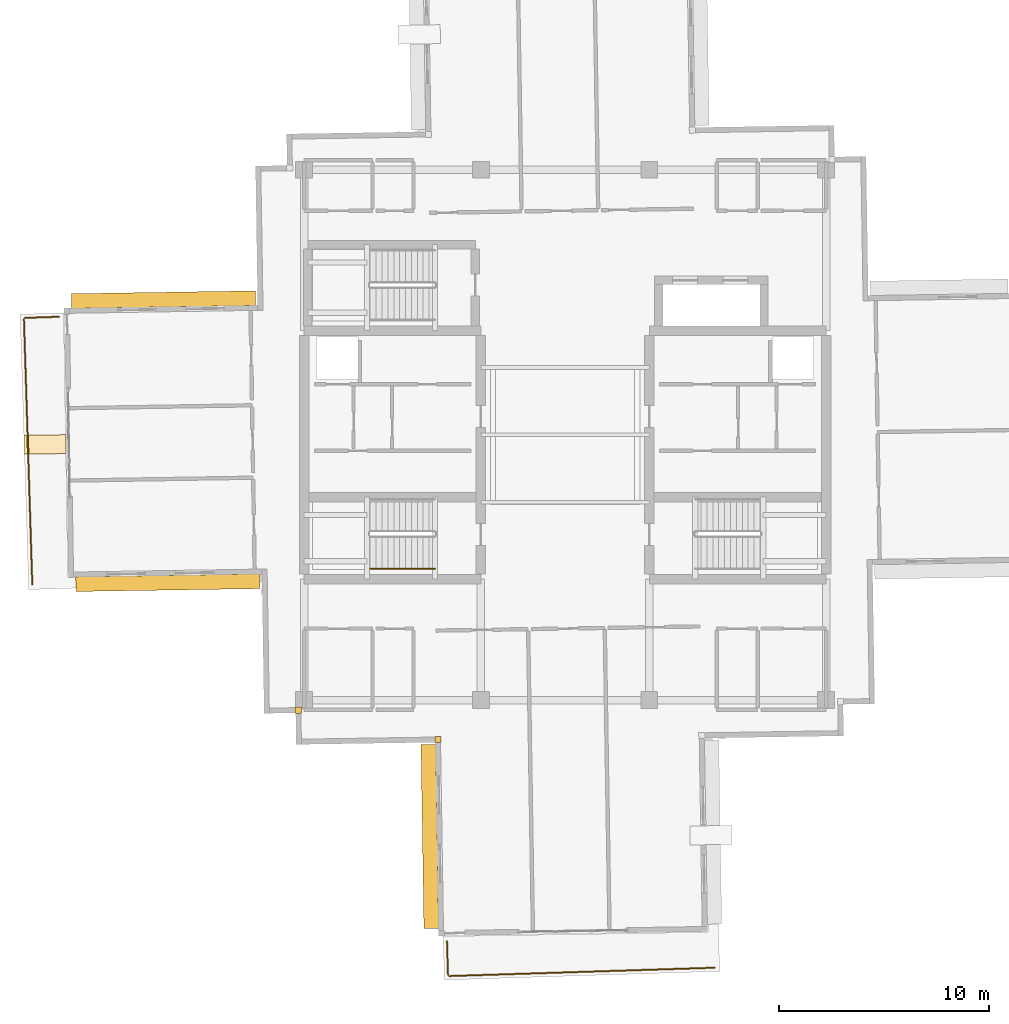
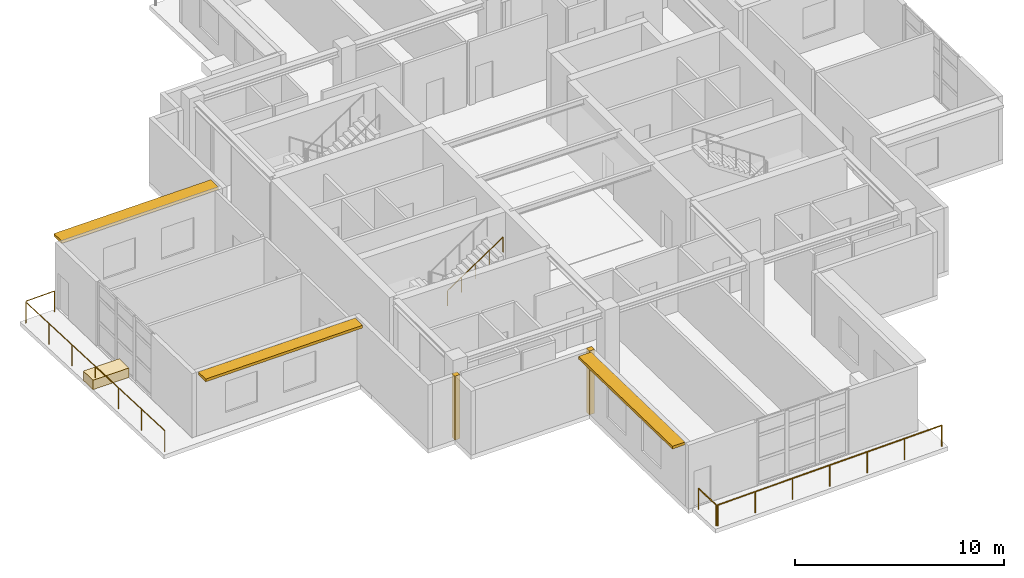
# One storey, part 14 of 18: 5 railings, 3 coverings, 3 shading devices.
"""IFC4 building model written with IfcOpenShell, lengths in metres."""

from ifc_helpers import new_model, si_unit, direction, frame, origin, origin_2d, place, context, subcontext, project, spatial, rectangle, circle, extrude, material, layer, layer_set, type_object, element, save


model = new_model("IFC4")

# Units and contexts
model_context = context("Model", 3, precision=1e-05, world=origin(), true_north=direction((0.0, 1.0)))
body_context = subcontext(model_context, "Body", "Model", "MODEL_VIEW")
ifc_project = project(units=[si_unit("LENGTHUNIT", "METRE"), si_unit("AREAUNIT", "SQUARE_METRE"), si_unit("VOLUMEUNIT", "CUBIC_METRE"), si_unit("PLANEANGLEUNIT", "RADIAN"), si_unit("MASSUNIT", "GRAM", prefix="KILO")], contexts=[model_context])

# Site, building, storey
site_placement = place(None, origin())
site = spatial("IfcSite", under=ifc_project, at=site_placement, CompositionType="ELEMENT")
building_placement = place(site_placement, origin())
building = spatial("IfcBuilding", under=site, at=building_placement, Name="Qingluan Cross Belvedere", CompositionType="ELEMENT")
storey_placement = place(building_placement, frame((0.0, 0.0, 303.89990234375)))
storey = spatial("IfcBuildingStorey", under=building, at=storey_placement, Name="L75", CompositionType="ELEMENT", Elevation=303.89990234375)

# Coverings
ifc_material_1 = material(Name="Precast concrete C45", Category="concrete")
ifc_layer_1 = layer(ifc_material_1, 0.1201171875, Name="ConcreteSpandrelCladding_120")
ifc_layer_set_1 = layer_set([ifc_layer_1], Name="Precast concrete C45")
covering_type_1 = type_object("IfcCoveringType", Name="ConcreteSpandrelCladding_120", PredefinedType="CLADDING", material=ifc_layer_set_1)
for number, where, z_axis, x_axis, name in (
    (1, (-12.676025390625, -13.080810546875, 0.0), (0.0, 0.0, 1.0), (0.999876632482, 0.015707317312, 0.0), "Corner closure L75-SW1"),
    (2, (-6.04345703125, -14.476806640625, 0.0), (0.0, 0.0, 1.0), (0.999876632482, 0.015707317312, 0.0), "Corner closure L75-SW2"),
):
    element("IfcCovering", number, at=place(storey_placement, frame(where, z_axis=z_axis, x_axis=x_axis)), inside=storey, type_object=covering_type_1, Name=name, PredefinedType="CLADDING", context=body_context, shape_type="SweptSolid", body=[
        extrude(rectangle(XDim=0.2900390625, YDim=0.2900390625, at=origin_2d()), origin(), (0.0, 0.0, 1.0), 3.72998046875),
    ])

# Shading devices
ifc_material_2 = material(Name="Precast concrete C45", Category="concrete")
ifc_layer_2 = layer(ifc_material_2, 0.139892578125, Name="ConcreteSunshadeBand_700")
ifc_layer_set_2 = layer_set([ifc_layer_2], Name="Precast concrete C45")
shading_device_type = type_object("IfcShadingDeviceType", Name="ConcreteSunshadeBand_700", PredefinedType="USERDEFINED", material=ifc_layer_set_2)
for number, where, z_axis, x_axis, name in (
    (3, (-19.083251953125, 6.426025390625, 3.55029296875), (0.0, 0.0, 1.0), (-0.999876598357, -0.015709489403, 0.0), "Concrete SUNSHADE L75-WA"),
    (4, (-18.8720703125, -7.022216796875, 3.55029296875), (0.0, 0.0, 1.0), (0.999876773798, 0.01569831898, 0.0), "Concrete SUNSHADE L75-WB"),
    (5, (-6.426025390625, -19.083251953125, 3.55029296875), (0.0, 0.0, 1.0), (0.015709489403, -0.999876598357, 0.0), "Concrete SUNSHADE L75-SA"),
):
    element("IfcShadingDevice", number, at=place(storey_placement, frame(where, z_axis=z_axis, x_axis=x_axis)), inside=storey, type_object=shading_device_type, Name=name, ObjectType="SUNSHADE", PredefinedType="USERDEFINED", context=body_context, shape_type="SweptSolid", body=[
        extrude(rectangle(XDim=8.75, YDim=0.699951171875, at=origin_2d()), origin(), (0.0, 0.0, 1.0), 0.159912109375),
    ])

# Railings
ifc_material_3 = material(Name="Laminated safety glass and stainless steel balustrade", Category="steel")
railing_type_1 = type_object("IfcRailingType", Name="ObservationGuardBalustrade_1250", PredefinedType="BALUSTRADE", material=ifc_material_3)
railing_1_placement = place(storey_placement, frame((-25.314208984375, -7.103759765625, 0.0)))
element("IfcRailing", 6, at=railing_1_placement, inside=storey, type_object=railing_type_1, Name="Terrace guard L75-1", PredefinedType="BALUSTRADE", context=body_context, shape_type="SweptSolid", body=[
    extrude(circle(Radius=0.02392578125, at=origin_2d()), frame((0.0, 0.0, 1.22607421875), z_axis=(-0.031422123885, 0.999506203148, 0.0), x_axis=(-0.999506203148, -0.031422123885, 0.0)), (0.0, 0.0, 1.0), 12.6103515625),
    extrude(circle(Radius=0.02099609375, at=origin_2d()), origin(), (0.0, 0.0, 1.0), 1.201904296875),
    extrude(circle(Radius=0.02099609375, at=origin_2d()), frame((-0.06591796875, 2.1005859375, 0.0)), (0.0, 0.0, 1.0), 1.201904296875),
    extrude(circle(Radius=0.02099609375, at=origin_2d()), frame((-0.132080078125, 4.201416015625, 0.0)), (0.0, 0.0, 1.0), 1.201904296875),
    extrude(circle(Radius=0.02099609375, at=origin_2d()), frame((-0.1982421875, 6.302001953125, 0.0)), (0.0, 0.0, 1.0), 1.201904296875),
    extrude(circle(Radius=0.02099609375, at=origin_2d()), frame((-0.26416015625, 8.402587890625, 0.0)), (0.0, 0.0, 1.0), 1.201904296875),
    extrude(circle(Radius=0.02099609375, at=origin_2d()), frame((-0.330078125, 10.50341796875, 0.0)), (0.0, 0.0, 1.0), 1.201904296875),
    extrude(circle(Radius=0.02099609375, at=origin_2d()), frame((-0.396240234375, 12.60400390625, 0.0)), (0.0, 0.0, 1.0), 1.201904296875),
])
railing_2_placement = place(storey_placement, frame((-25.65234375, 5.56201171875, 0.0)))
element("IfcRailing", 7, at=railing_2_placement, inside=storey, type_object=railing_type_1, Name="Terrace guard L75-2", PredefinedType="BALUSTRADE", context=body_context, shape_type="SweptSolid", body=[
    extrude(circle(Radius=0.02392578125, at=origin_2d()), frame((0.0, 0.0, 1.22607421875), z_axis=(0.999504140483, 0.031487666759, 0.0), x_axis=(-0.031487666759, 0.999504140483, 0.0)), (0.0, 0.0, 1.0), 1.59716796875),
    extrude(circle(Radius=0.02099609375, at=origin_2d()), origin(), (0.0, 0.0, 1.0), 1.201904296875),
    extrude(circle(Radius=0.02099609375, at=origin_2d()), frame((1.596435546875, 0.05029296875, 0.0)), (0.0, 0.0, 1.0), 1.201904296875),
])
railing_3_placement = place(storey_placement, frame((7.103759765625, -25.314208984375, 0.0)))
element("IfcRailing", 8, at=railing_3_placement, inside=storey, type_object=railing_type_1, Name="Terrace guard L75-1", PredefinedType="BALUSTRADE", context=body_context, shape_type="SweptSolid", body=[
    extrude(circle(Radius=0.02392578125, at=origin_2d()), frame((0.0, 0.0, 1.22607421875), z_axis=(-0.999506203148, -0.031422123885, 0.0), x_axis=(0.031422123885, -0.999506203148, 0.0)), (0.0, 0.0, 1.0), 12.6103515625),
    extrude(circle(Radius=0.02099609375, at=origin_2d()), origin(), (0.0, 0.0, 1.0), 1.201904296875),
    extrude(circle(Radius=0.02099609375, at=origin_2d()), frame((-2.1005859375, -0.06591796875, 0.0)), (0.0, 0.0, 1.0), 1.201904296875),
    extrude(circle(Radius=0.02099609375, at=origin_2d()), frame((-4.201416015625, -0.132080078125, 0.0)), (0.0, 0.0, 1.0), 1.201904296875),
    extrude(circle(Radius=0.02099609375, at=origin_2d()), frame((-6.302001953125, -0.1982421875, 0.0)), (0.0, 0.0, 1.0), 1.201904296875),
    extrude(circle(Radius=0.02099609375, at=origin_2d()), frame((-8.402587890625, -0.26416015625, 0.0)), (0.0, 0.0, 1.0), 1.201904296875),
    extrude(circle(Radius=0.02099609375, at=origin_2d()), frame((-10.50341796875, -0.330078125, 0.0)), (0.0, 0.0, 1.0), 1.201904296875),
    extrude(circle(Radius=0.02099609375, at=origin_2d()), frame((-12.60400390625, -0.396240234375, 0.0)), (0.0, 0.0, 1.0), 1.201904296875),
])
railing_4_placement = place(storey_placement, frame((-5.56201171875, -25.65234375, 0.0)))
element("IfcRailing", 9, at=railing_4_placement, inside=storey, type_object=railing_type_1, Name="Terrace guard L75-2", PredefinedType="BALUSTRADE", context=body_context, shape_type="SweptSolid", body=[
    extrude(circle(Radius=0.02392578125, at=origin_2d()), frame((0.0, 0.0, 1.22607421875), z_axis=(-0.031492478084, 0.999503988899, 0.0), x_axis=(-0.999503988899, -0.031492478084, 0.0)), (0.0, 0.0, 1.0), 1.596923828125),
    extrude(circle(Radius=0.02099609375, at=origin_2d()), origin(), (0.0, 0.0, 1.0), 1.201904296875),
    extrude(circle(Radius=0.02099609375, at=origin_2d()), frame((-0.05029296875, 1.59619140625, 0.0)), (0.0, 0.0, 1.0), 1.201904296875),
])
ifc_material_4 = material(Name="Brushed stainless steel tubular handrail", Category="steel")
railing_type_2 = type_object("IfcRailingType", Name="StairPitchHandrail_900", PredefinedType="HANDRAIL", material=ifc_material_4)
railing_5_placement = place(storey_placement, frame((-9.260009765625, -6.35009765625, 2.4375)))
element("IfcRailing", 10, at=railing_5_placement, inside=storey, type_object=railing_type_2, Name="L75 ST1 stair handrail 2", PredefinedType="HANDRAIL", context=body_context, shape_type="SweptSolid", body=[
    extrude(circle(Radius=0.02392578125, at=origin_2d()), frame((0.0, 0.0, 0.8759765625), z_axis=(0.830913701846, 0.0, 0.55640131208), x_axis=(0.0, 1.0, 0.0)), (0.0, 0.0, 1.0), 3.706787109375),
    extrude(circle(Radius=0.02099609375, at=origin_2d()), origin(), (0.0, 0.0, 1.0), 0.851806640625),
    extrude(circle(Radius=0.02099609375, at=origin_2d()), frame((0.77001953125, 0.0, 0.515625)), (0.0, 0.0, 1.0), 0.851806640625),
    extrude(circle(Radius=0.02099609375, at=origin_2d()), frame((1.5400390625, 0.0, 1.03125)), (0.0, 0.0, 1.0), 0.851806640625),
    extrude(circle(Radius=0.02099609375, at=origin_2d()), frame((2.31005859375, 0.0, 1.546875)), (0.0, 0.0, 1.0), 0.851806640625),
    extrude(circle(Radius=0.02099609375, at=origin_2d()), frame((3.080078125, 0.0, 2.0625)), (0.0, 0.0, 1.0), 0.851806640625),
])

# Covering
ifc_material_5 = material(Name="Precast concrete C40", Category="concrete")
ifc_layer_3 = layer(ifc_material_5, 0.550048828125, Name="TerracePlanterBox")
ifc_layer_set_3 = layer_set([ifc_layer_3], Name="Precast concrete C40")
covering_type_2 = type_object("IfcCoveringType", Name="TerracePlanterBox", PredefinedType="USERDEFINED", material=ifc_layer_set_3)
covering_placement = place(storey_placement, frame((-24.7109375, -0.4541015625, 0.0), z_axis=(0.0, 0.0, 1.0), x_axis=(0.999876632482, 0.015707317312, 0.0)))
element("IfcCovering", 11, at=covering_placement, inside=storey, type_object=covering_type_2, Name="Terrace garden planter L75-2", ObjectType="PLANTER", PredefinedType="USERDEFINED", context=body_context, shape_type="SweptSolid", body=[
    extrude(rectangle(XDim=2.0, YDim=0.89990234375, at=origin_2d()), origin(), (0.0, 0.0, 1.0), 0.550048828125),
])

save(model, "model.ifc")
